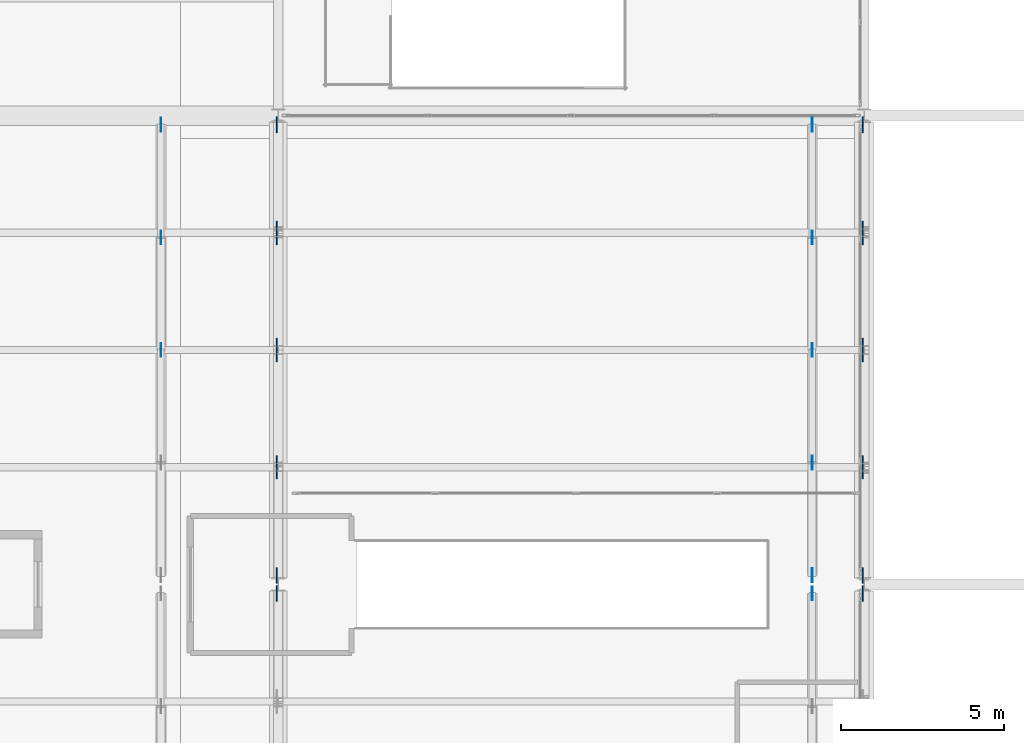
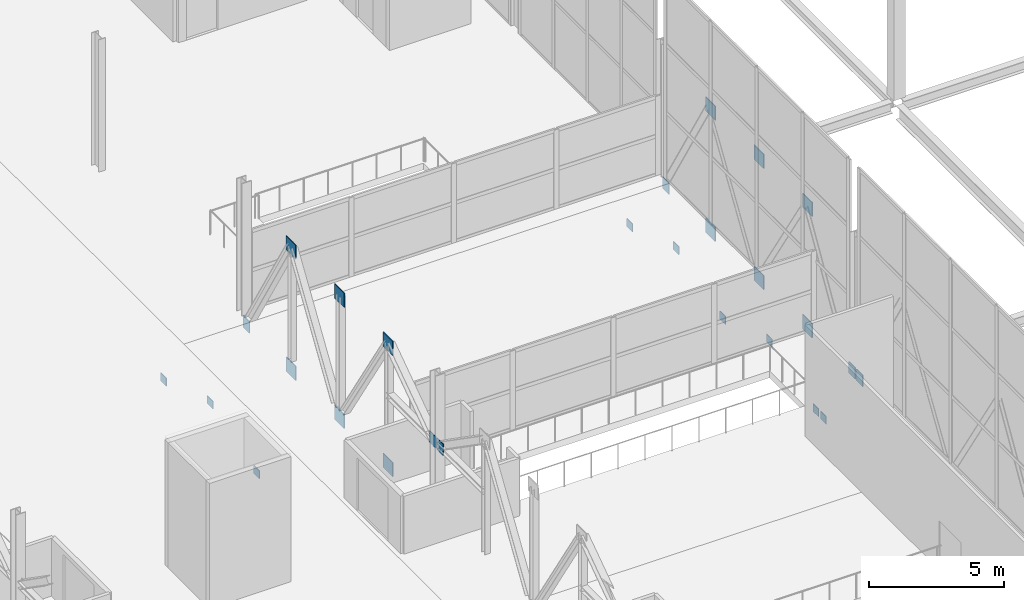
# One storey, part 165 of 191: 27 plates.
"""IFC4 building model written with IfcOpenShell, lengths in metres."""

from ifc_helpers import new_model, si_unit, direction, frame, origin, origin_2d, place, context, subcontext, project, spatial, rectangle, extrude, material, layer, layer_set, type_object, element, save


model = new_model("IFC4")

# Units and contexts
model_context = context("Model", 3, precision=1e-05, world=origin(), true_north=direction((0.0, 1.0)))
body_context = subcontext(model_context, "Body", "Model", "MODEL_VIEW")
ifc_project = project(units=[si_unit("LENGTHUNIT", "METRE"), si_unit("AREAUNIT", "SQUARE_METRE"), si_unit("VOLUMEUNIT", "CUBIC_METRE"), si_unit("PLANEANGLEUNIT", "RADIAN"), si_unit("MASSUNIT", "GRAM", prefix="KILO")], contexts=[model_context])

# Site, building, storey
site_placement = place(None, origin())
site = spatial("IfcSite", under=ifc_project, at=site_placement, CompositionType="ELEMENT")
building_placement = place(site_placement, origin())
building = spatial("IfcBuilding", under=site, at=building_placement, Name="Tamarisk Ironworks Central Station", CompositionType="ELEMENT")
storey_placement = place(building_placement, frame((0.0, 0.0, 6.60009765625)))
storey = spatial("IfcBuildingStorey", under=building, at=storey_placement, Name="L01", CompositionType="ELEMENT", Elevation=6.60009765625)

# Plates
ifc_material_1 = material(Name="Structural steel S355J2H", Category="steel")
ifc_layer_1 = layer(ifc_material_1, 0.02587890625)
ifc_layer_set_1 = layer_set([ifc_layer_1], Name="Structural steel S355J2H")
plate_type_1 = type_object("IfcPlateType", Name="PL-ND26", PredefinedType="SHEET", material=ifc_layer_set_1)
for number, where, z_axis, x_axis, name in (
    (1, (86.39990234375, 72.0, -1.8203125), (0.0, 0.0, 1.0), (1.0, 0.0, 0.0), "Bridge deck stiffening brace gusset plate 186"),
    (2, (86.39990234375, 75.4599609375, -0.76025390625), (0.0, 0.0, 1.0), (1.0, 0.0, 0.0), "Bridge deck stiffening brace gusset plate 187"),
    (3, (86.39990234375, 78.919921875, -1.8203125), (0.0, 0.0, 1.0), (1.0, 0.0, 0.0), "Bridge deck stiffening brace gusset plate 188"),
    (4, (106.39990234375, 64.52001953125, -1.8203125), (0.0, 0.0, 1.0), (1.0, 0.0, 0.0), "Bridge deck stiffening brace gusset plate 203"),
    (5, (106.39990234375, 65.080078125, -1.8203125), (0.0, 0.0, 1.0), (1.0, 0.0, 0.0), "Bridge deck stiffening brace gusset plate 204"),
    (6, (106.39990234375, 68.5400390625, -0.76025390625), (0.0, 0.0, 1.0), (1.0, 0.0, 0.0), "Bridge deck stiffening brace gusset plate 205"),
    (7, (106.39990234375, 72.0, -1.8203125), (0.0, 0.0, 1.0), (1.0, 0.0, 0.0), "Bridge deck stiffening brace gusset plate 206"),
    (8, (106.39990234375, 75.4599609375, -0.76025390625), (0.0, 0.0, 1.0), (1.0, 0.0, 0.0), "Bridge deck stiffening brace gusset plate 207"),
    (9, (106.39990234375, 78.919921875, -1.8203125), (0.0, 0.0, 1.0), (1.0, 0.0, 0.0), "Bridge deck stiffening brace gusset plate 208"),
):
    element("IfcPlate", number, at=place(storey_placement, frame(where, z_axis=z_axis, x_axis=x_axis)), inside=storey, type_object=plate_type_1, Name=name, PredefinedType="SHEET", context=body_context, shape_type="SweptSolid", body=[
        extrude(rectangle(XDim=0.02587890625, YDim=0.419921875, at=origin_2d()), origin(), (0.0, 0.0, 1.0), 0.360107421875),
    ])
ifc_material_2 = material(Name="Structural steel S355J2", Category="steel")
ifc_layer_2 = layer(ifc_material_2, 0.0380859375)
ifc_layer_set_2 = layer_set([ifc_layer_2], Name="Structural steel S355J2")
plate_type_2 = type_object("IfcPlateType", Name="PL-ND38", PredefinedType="SHEET", material=ifc_layer_set_2)
plate_placement = place(storey_placement, frame((89.955078125, 64.52001953125, 2.539794921875), z_axis=(0.0, 0.0, 1.0), x_axis=(1.0, 0.0, 0.0)))
element("IfcPlate", 10, at=plate_placement, inside=storey, type_object=plate_type_2, Name="Transfer truss end gusset node plate 088", PredefinedType="SHEET", context=body_context, shape_type="SweptSolid", body=[
    extrude(rectangle(XDim=0.0380859375, YDim=0.47998046875, at=origin_2d()), origin(), (0.0, 0.0, 1.0), 0.52001953125),
])
for number, where, z_axis, x_axis, name in (
    (11, (89.955078125, 68.39990234375, -0.7001953125), (0.0, 0.0, 1.0), (1.0, 0.0, 0.0), "Transfer truss gusset node plate 089"),
    (12, (89.955078125, 68.39990234375, 4.7998046875), (0.0, 0.0, 1.0), (1.0, 0.0, 0.0), "Transfer truss gusset node plate 090"),
    (13, (89.955078125, 72.0, -0.7001953125), (0.0, 0.0, 1.0), (1.0, 0.0, 0.0), "Transfer truss gusset node plate 091"),
    (14, (89.955078125, 72.0, 4.7998046875), (0.0, 0.0, 1.0), (1.0, 0.0, 0.0), "Transfer truss gusset node plate 092"),
    (15, (89.955078125, 75.60009765625, -0.7001953125), (0.0, 0.0, 1.0), (1.0, 0.0, 0.0), "Transfer truss gusset node plate 093"),
    (16, (89.955078125, 75.60009765625, 4.7998046875), (0.0, 0.0, 1.0), (1.0, 0.0, 0.0), "Transfer truss gusset node plate 094"),
):
    element("IfcPlate", number, at=place(storey_placement, frame(where, z_axis=z_axis, x_axis=x_axis)), inside=storey, type_object=plate_type_2, Name=name, PredefinedType="SHEET", context=body_context, shape_type="SweptSolid", body=[
        extrude(rectangle(XDim=0.0380859375, YDim=0.719970703125, at=origin_2d()), origin(), (0.0, 0.0, 1.0), 0.639892578125),
    ])
for number, where, z_axis, x_axis, name in (
    (17, (89.955078125, 65.080078125, 2.539794921875), (0.0, 0.0, 1.0), (1.0, 0.0, 0.0), "Transfer truss end gusset node plate 095"),
    (18, (89.955078125, 78.919921875, -0.64013671875), (0.0, 0.0, 1.0), (1.0, 0.0, 0.0), "Transfer truss end gusset node plate 096"),
    (19, (107.955078125, 64.52001953125, -0.64013671875), (0.0, 0.0, 1.0), (1.0, 0.0, 0.0), "Transfer truss end gusset node plate 120"),
):
    element("IfcPlate", number, at=place(storey_placement, frame(where, z_axis=z_axis, x_axis=x_axis)), inside=storey, type_object=plate_type_2, Name=name, PredefinedType="SHEET", context=body_context, shape_type="SweptSolid", body=[
        extrude(rectangle(XDim=0.0380859375, YDim=0.47998046875, at=origin_2d()), origin(), (0.0, 0.0, 1.0), 0.52001953125),
    ])
for number, where, z_axis, x_axis, name in (
    (20, (107.955078125, 68.39990234375, -0.7001953125), (0.0, 0.0, 1.0), (1.0, 0.0, 0.0), "Transfer truss gusset node plate 121"),
    (21, (107.955078125, 68.39990234375, 4.7998046875), (0.0, 0.0, 1.0), (1.0, 0.0, 0.0), "Transfer truss gusset node plate 122"),
    (22, (107.955078125, 72.0, -0.7001953125), (0.0, 0.0, 1.0), (1.0, 0.0, 0.0), "Transfer truss gusset node plate 123"),
    (23, (107.955078125, 72.0, 4.7998046875), (0.0, 0.0, 1.0), (1.0, 0.0, 0.0), "Transfer truss gusset node plate 124"),
    (24, (107.955078125, 75.60009765625, -0.7001953125), (0.0, 0.0, 1.0), (1.0, 0.0, 0.0), "Transfer truss gusset node plate 125"),
    (25, (107.955078125, 75.60009765625, 4.7998046875), (0.0, 0.0, 1.0), (1.0, 0.0, 0.0), "Transfer truss gusset node plate 126"),
):
    element("IfcPlate", number, at=place(storey_placement, frame(where, z_axis=z_axis, x_axis=x_axis)), inside=storey, type_object=plate_type_2, Name=name, PredefinedType="SHEET", context=body_context, shape_type="SweptSolid", body=[
        extrude(rectangle(XDim=0.0380859375, YDim=0.719970703125, at=origin_2d()), origin(), (0.0, 0.0, 1.0), 0.639892578125),
    ])
for number, where, z_axis, x_axis, name in (
    (26, (107.955078125, 65.080078125, -0.64013671875), (0.0, 0.0, 1.0), (1.0, 0.0, 0.0), "Transfer truss end gusset node plate 127"),
    (27, (107.955078125, 78.919921875, -0.64013671875), (0.0, 0.0, 1.0), (1.0, 0.0, 0.0), "Transfer truss end gusset node plate 128"),
):
    element("IfcPlate", number, at=place(storey_placement, frame(where, z_axis=z_axis, x_axis=x_axis)), inside=storey, type_object=plate_type_2, Name=name, PredefinedType="SHEET", context=body_context, shape_type="SweptSolid", body=[
        extrude(rectangle(XDim=0.0380859375, YDim=0.47998046875, at=origin_2d()), origin(), (0.0, 0.0, 1.0), 0.52001953125),
    ])

save(model, "model.ifc")
